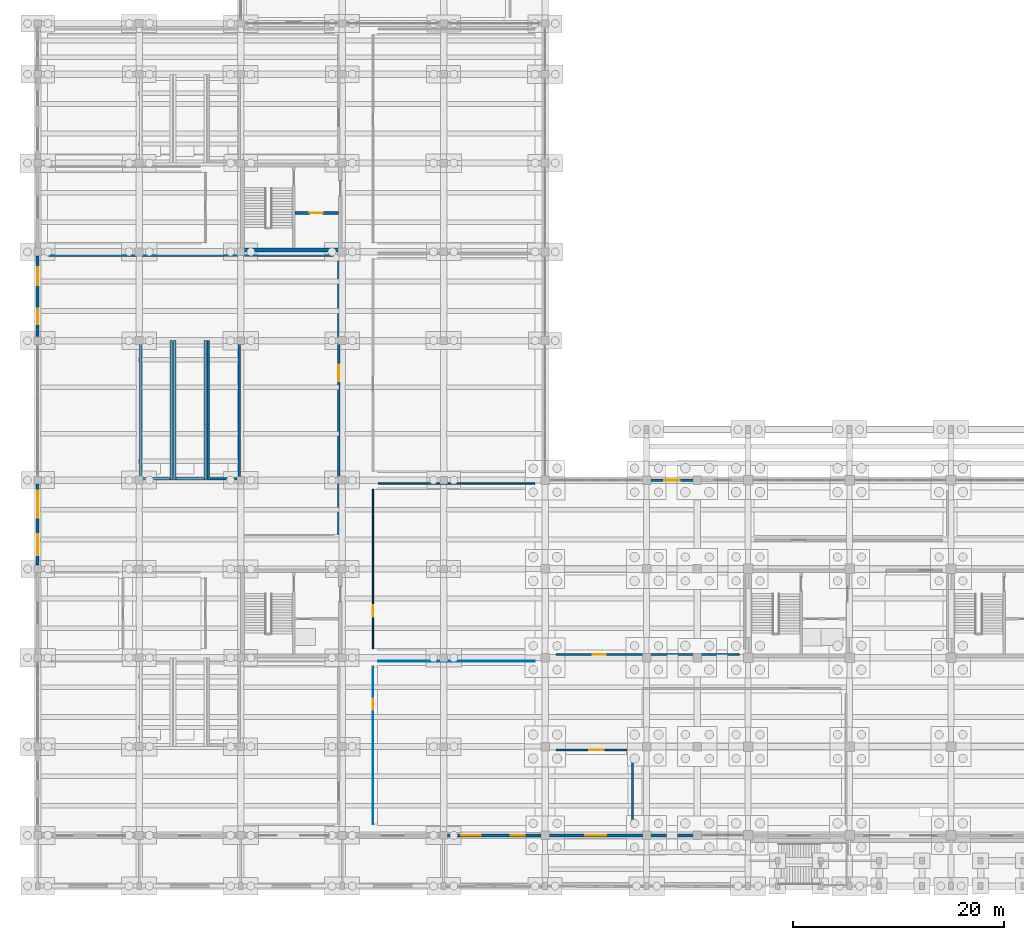
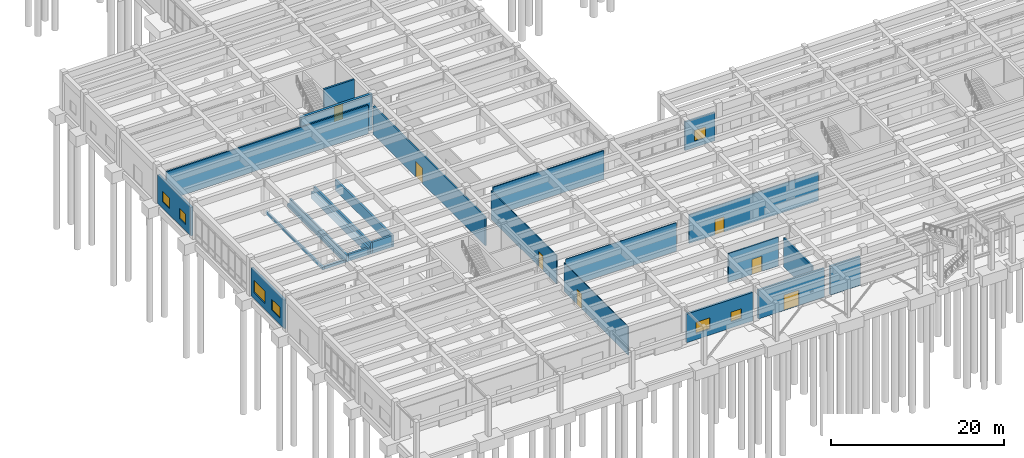
# One storey, part 76 of 102: 26 walls, 7 doors, 7 windows, 14 openings.
"""IFC4 building model written with IfcOpenShell, lengths in metres."""

from ifc_helpers import new_model, si_unit, direction, frame, frame_2d, origin, place, context, subcontext, project, spatial, rectangle, extrude, material, layer, layer_set, type_object, element, fill, save


model = new_model("IFC4")

# Units and contexts
model_context = context("Model", 3, precision=1e-05, world=origin(), true_north=direction((0.0, 1.0)))
body_context = subcontext(model_context, "Body", "Model", "MODEL_VIEW")
ifc_project = project(units=[si_unit("LENGTHUNIT", "METRE"), si_unit("AREAUNIT", "SQUARE_METRE"), si_unit("VOLUMEUNIT", "CUBIC_METRE"), si_unit("PLANEANGLEUNIT", "RADIAN"), si_unit("MASSUNIT", "GRAM", prefix="KILO")], contexts=[model_context])

# Site, building, storey
site_placement = place(None, origin())
site = spatial("IfcSite", under=ifc_project, at=site_placement, CompositionType="ELEMENT")
building_placement = place(site_placement, origin())
building = spatial("IfcBuilding", under=site, at=building_placement, Name="Kolvemor Railside Polytechnic", CompositionType="ELEMENT")
storey_placement = place(building_placement, origin())
storey = spatial("IfcBuildingStorey", under=building, at=storey_placement, Name="L00", CompositionType="ELEMENT", Elevation=0.0)

# Wall
ifc_material_1 = material(Name="Concrete C40/50", Category="concrete")
ifc_layer_1 = layer(ifc_material_1, 0.35009765625, Name="WL-CORE-350")
ifc_layer_set_1 = layer_set([ifc_layer_1], Name="Concrete C40/50")
wall_type_1 = type_object("IfcWallType", Name="WL-CORE-350", PredefinedType="SHEAR", material=ifc_layer_set_1)
wall_1_placement = place(storey_placement, frame((19.199951171875, 60.175048828125, 0.0), z_axis=(0.0, 0.0, 1.0), x_axis=(1.0, 0.0, 0.0)))
element("IfcWall", 1, at=wall_1_placement, inside=storey, type_object=wall_type_1, Name="CORE-5 South Core Wall L00", PredefinedType="SHEAR", context=body_context, shape_type="SweptSolid", body=[
    extrude(rectangle(XDim=9.60009765625, YDim=0.35009765625, at=frame_2d((4.800048828125, 0.0))), origin(), (0.0, 0.0, 1.0), 5.110107421875),
])

# Wall, openings, windows
ifc_material_2 = material(Name="Precast concrete C40/50", Category="concrete")
ifc_layer_2 = layer(ifc_material_2, 0.284912109375, Name="WL-EXT-RC-285")
ifc_layer_set_2 = layer_set([ifc_layer_2], Name="Precast concrete C40/50")
wall_type_2 = type_object("IfcWallType", Name="WL-EXT-RC-285", PredefinedType="SOLIDWALL", material=ifc_layer_set_2)
wall_2_placement = place(storey_placement, frame((0.0, 38.02001953125, 0.0), z_axis=(0.0, 0.0, 1.0), x_axis=(0.0, -1.0, 0.0)))
wall_2 = element("IfcWall", 2, at=wall_2_placement, inside=storey, type_object=wall_type_2, Name="Exterior Wall L00-0058", PredefinedType="SOLIDWALL", context=body_context, shape_type="SweptSolid", body=[
    extrude(rectangle(XDim=7.64013671875, YDim=0.284912109375, at=frame_2d((3.820068359375, 0.0))), origin(), (0.0, 0.0, 1.0), 4.0400390625),
])
opening_1_placement = place(wall_2_placement, frame((0.635009765625, 0.0, 0.89990234375)))
opening_1 = element("IfcOpeningElement", 3, at=opening_1_placement, cuts=wall_2, Name="Opening WN-M13", PredefinedType="OPENING", context=body_context, shape_type="SweptSolid", body=[
    extrude(rectangle(XDim=2.550048828125, YDim=1.75, at=frame_2d((1.27490234375, 0.875))), frame((0.0, 0.15234375, 0.0), z_axis=(0.0, -1.0, 0.0), x_axis=(1.0, 0.0, 0.0)), (0.0, 0.0, 1.0), 0.304931640625),
])
opening_2_placement = place(wall_2_placement, frame((4.72998046875, 0.0, 0.89990234375)))
opening_2 = element("IfcOpeningElement", 4, at=opening_2_placement, cuts=wall_2, Name="Opening WN-M20", PredefinedType="OPENING", context=body_context, shape_type="SweptSolid", body=[
    extrude(rectangle(XDim=2.0, YDim=1.550048828125, at=frame_2d((1.0, 0.77490234375))), frame((0.0, 0.15234375, 0.0), z_axis=(0.0, -1.0, 0.0), x_axis=(1.0, 0.0, 0.0)), (0.0, 0.0, 1.0), 0.304931640625),
])
ifc_material_3 = material(Name="Hurricane-laminated thermally broken aluminium window", Category="aluminium")
window_type_1 = type_object("IfcWindowType", Name="WN-MOD-200x155", PartitioningType="DOUBLE_PANEL_VERTICAL", PredefinedType="WINDOW", material=ifc_material_3)
window_1_placement = place(opening_2_placement, origin())
window_1 = element("IfcWindow", 5, at=window_1_placement, inside=storey, type_object=window_type_1, Name="Window L00-0055", OverallHeight=1.550048828125, OverallWidth=2.0, PartitioningType="SINGLE_PANEL", PredefinedType="WINDOW", context=body_context, shape_type="SweptSolid", body=[
    extrude(rectangle(XDim=2.0, YDim=1.550048828125, at=frame_2d((1.0, 0.77490234375))), frame((0.0, 0.030029296875, 0.0), z_axis=(0.0, -1.0, 0.0), x_axis=(1.0, 0.0, 0.0)), (0.0, 0.0, 1.0), 0.06005859375),
])
fill(opening_2, window_1)
ifc_material_4 = material(Name="Hurricane-laminated thermally broken aluminium window", Category="aluminium")
window_type_2 = type_object("IfcWindowType", Name="WN-MOD-255x175", PartitioningType="DOUBLE_PANEL_VERTICAL", PredefinedType="WINDOW", material=ifc_material_4)
window_2_placement = place(opening_1_placement, origin())
window_2 = element("IfcWindow", 6, at=window_2_placement, inside=storey, type_object=window_type_2, Name="Window L00-0054", OverallHeight=1.75, OverallWidth=2.550048828125, PartitioningType="SINGLE_PANEL", PredefinedType="WINDOW", context=body_context, shape_type="SweptSolid", body=[
    extrude(rectangle(XDim=2.550048828125, YDim=1.75, at=frame_2d((1.27490234375, 0.875))), frame((0.0, 0.030029296875, 0.0), z_axis=(0.0, -1.0, 0.0), x_axis=(1.0, 0.0, 0.0)), (0.0, 0.0, 1.0), 0.06005859375),
])
fill(opening_1, window_2)

wall_3_placement = place(storey_placement, frame((0.0, 59.6201171875, 0.0), z_axis=(0.0, 0.0, 1.0), x_axis=(0.0, -1.0, 0.0)))
wall_3 = element("IfcWall", 7, at=wall_3_placement, inside=storey, type_object=wall_type_2, Name="Exterior Wall L00-0063", PredefinedType="SOLIDWALL", context=body_context, shape_type="SweptSolid", body=[
    extrude(rectangle(XDim=7.64013671875, YDim=0.284912109375, at=frame_2d((3.820068359375, 0.0))), origin(), (0.0, 0.0, 1.0), 4.0400390625),
])
opening_3_placement = place(wall_3_placement, frame((1.06005859375, 0.0, 0.89990234375)))
opening_3 = element("IfcOpeningElement", 8, at=opening_3_placement, cuts=wall_3, Name="Opening WN-M19", PredefinedType="OPENING", context=body_context, shape_type="SweptSolid", body=[
    extrude(rectangle(XDim=1.699951171875, YDim=1.449951171875, at=frame_2d((0.85009765625, 0.72509765625))), frame((0.0, 0.15234375, 0.0), z_axis=(0.0, -1.0, 0.0), x_axis=(1.0, 0.0, 0.0)), (0.0, 0.0, 1.0), 0.304931640625),
])
opening_4_placement = place(wall_3_placement, frame((5.0048828125, 0.0, 0.89990234375)))
opening_4 = element("IfcOpeningElement", 9, at=opening_4_placement, cuts=wall_3, Name="Opening WN-M02", PredefinedType="OPENING", context=body_context, shape_type="SweptSolid", body=[
    extrude(rectangle(XDim=1.449951171875, YDim=1.449951171875, at=frame_2d((0.72509765625, 0.72509765625))), frame((0.0, 0.15234375, 0.0), z_axis=(0.0, -1.0, 0.0), x_axis=(1.0, 0.0, 0.0)), (0.0, 0.0, 1.0), 0.304931640625),
])
ifc_material_5 = material(Name="Hurricane-laminated thermally broken aluminium window", Category="aluminium")
window_type_3 = type_object("IfcWindowType", Name="WN-MOD-145x145", PartitioningType="SINGLE_PANEL", PredefinedType="WINDOW", material=ifc_material_5)
window_3_placement = place(opening_4_placement, origin())
window_3 = element("IfcWindow", 10, at=window_3_placement, inside=storey, type_object=window_type_3, Name="Window L00-0062", OverallHeight=1.449951171875, OverallWidth=1.449951171875, PartitioningType="SINGLE_PANEL", PredefinedType="WINDOW", context=body_context, shape_type="SweptSolid", body=[
    extrude(rectangle(XDim=1.449951171875, YDim=1.449951171875, at=frame_2d((0.72509765625, 0.72509765625))), frame((0.0, 0.030029296875, 0.0), z_axis=(0.0, -1.0, 0.0), x_axis=(1.0, 0.0, 0.0)), (0.0, 0.0, 1.0), 0.06005859375),
])
fill(opening_4, window_3)
ifc_material_6 = material(Name="Hurricane-laminated thermally broken aluminium window", Category="aluminium")
window_type_4 = type_object("IfcWindowType", Name="WN-MOD-170x145", PartitioningType="SINGLE_PANEL", PredefinedType="WINDOW", material=ifc_material_6)
window_4_placement = place(opening_3_placement, origin())
window_4 = element("IfcWindow", 11, at=window_4_placement, inside=storey, type_object=window_type_4, Name="Window L00-0061", OverallHeight=1.449951171875, OverallWidth=1.699951171875, PartitioningType="SINGLE_PANEL", PredefinedType="WINDOW", context=body_context, shape_type="SweptSolid", body=[
    extrude(rectangle(XDim=1.699951171875, YDim=1.449951171875, at=frame_2d((0.85009765625, 0.72509765625))), frame((0.0, 0.030029296875, 0.0), z_axis=(0.0, -1.0, 0.0), x_axis=(1.0, 0.0, 0.0)), (0.0, 0.0, 1.0), 0.06005859375),
])
fill(opening_3, window_4)

ifc_material_7 = material(Name="Concrete C40/50", Category="concrete")
ifc_layer_3 = layer(ifc_material_7, 0.300048828125, Name="WL-EXT-RC-300")
ifc_layer_set_3 = layer_set([ifc_layer_3], Name="Concrete C40/50")
wall_type_3 = type_object("IfcWallType", Name="WL-EXT-RC-300", PredefinedType="SOLIDWALL", material=ifc_layer_set_3)
wall_4_placement = place(storey_placement, frame((38.780029296875, 4.800048828125, 0.0), z_axis=(0.0, 0.0, 1.0), x_axis=(1.0, 0.0, 0.0)))
wall_4 = element("IfcWall", 12, at=wall_4_placement, inside=storey, type_object=wall_type_3, Name="Exterior Wall L00-0090", PredefinedType="SOLIDWALL", context=body_context, shape_type="SweptSolid", body=[
    extrude(rectangle(XDim=8.840087890625, YDim=0.300048828125, at=frame_2d((4.419921875, 0.0))), origin(), (0.0, 0.0, 1.0), 4.0400390625),
])
opening_5_placement = place(wall_4_placement, frame((1.284912109375, 0.0, 0.89990234375)))
opening_5 = element("IfcOpeningElement", 13, at=opening_5_placement, cuts=wall_4, Name="Opening WN-M06", PredefinedType="OPENING", context=body_context, shape_type="SweptSolid", body=[
    extrude(rectangle(XDim=1.85009765625, YDim=1.550048828125, at=frame_2d((0.925048828125, 0.77490234375))), frame((0.0, 0.159912109375, 0.0), z_axis=(0.0, -1.0, 0.0), x_axis=(1.0, 0.0, 0.0)), (0.0, 0.0, 1.0), 0.320068359375),
])
opening_6_placement = place(wall_4_placement, frame((5.955078125, 0.0, 0.89990234375)))
opening_6 = element("IfcOpeningElement", 14, at=opening_6_placement, cuts=wall_4, Name="Opening WN-M17", PredefinedType="OPENING", context=body_context, shape_type="SweptSolid", body=[
    extrude(rectangle(XDim=1.35009765625, YDim=1.35009765625, at=frame_2d((0.675048828125, 0.675048828125))), frame((0.0, 0.159912109375, 0.0), z_axis=(0.0, -1.0, 0.0), x_axis=(1.0, 0.0, 0.0)), (0.0, 0.0, 1.0), 0.320068359375),
])
ifc_material_8 = material(Name="Hurricane-laminated thermally broken aluminium window", Category="aluminium")
window_type_5 = type_object("IfcWindowType", Name="WN-MOD-135x135", PartitioningType="SINGLE_PANEL", PredefinedType="WINDOW", material=ifc_material_8)
window_5_placement = place(opening_6_placement, origin())
window_5 = element("IfcWindow", 15, at=window_5_placement, inside=storey, type_object=window_type_5, Name="Window L00-0095", OverallHeight=1.35009765625, OverallWidth=1.35009765625, PartitioningType="SINGLE_PANEL", PredefinedType="WINDOW", context=body_context, shape_type="SweptSolid", body=[
    extrude(rectangle(XDim=1.35009765625, YDim=1.35009765625, at=frame_2d((0.675048828125, 0.675048828125))), frame((0.0, 0.030029296875, 0.0), z_axis=(0.0, -1.0, 0.0), x_axis=(1.0, 0.0, 0.0)), (0.0, 0.0, 1.0), 0.06005859375),
])
fill(opening_6, window_5)
ifc_material_9 = material(Name="Hurricane-laminated thermally broken aluminium window", Category="aluminium")
window_type_6 = type_object("IfcWindowType", Name="WN-MOD-185x155", PartitioningType="DOUBLE_PANEL_VERTICAL", PredefinedType="WINDOW", material=ifc_material_9)
window_6_placement = place(opening_5_placement, origin())
window_6 = element("IfcWindow", 16, at=window_6_placement, inside=storey, type_object=window_type_6, Name="Window L00-0094", OverallHeight=1.550048828125, OverallWidth=1.85009765625, PartitioningType="SINGLE_PANEL", PredefinedType="WINDOW", context=body_context, shape_type="SweptSolid", body=[
    extrude(rectangle(XDim=1.85009765625, YDim=1.550048828125, at=frame_2d((0.925048828125, 0.77490234375))), frame((0.0, 0.030029296875, 0.0), z_axis=(0.0, -1.0, 0.0), x_axis=(1.0, 0.0, 0.0)), (0.0, 0.0, 1.0), 0.06005859375),
])
fill(opening_5, window_6)

# Wall, opening, door
wall_5_placement = place(storey_placement, frame((48.3798828125, 4.800048828125, 0.0), z_axis=(0.0, 0.0, 1.0), x_axis=(1.0, 0.0, 0.0)))
wall_5 = element("IfcWall", 17, at=wall_5_placement, inside=storey, type_object=wall_type_3, Name="Exterior Wall L00-0091", PredefinedType="SOLIDWALL", context=body_context, shape_type="SweptSolid", body=[
    extrude(rectangle(XDim=8.840087890625, YDim=0.300048828125, at=frame_2d((4.419921875, 0.0))), origin(), (0.0, 0.0, 1.0), 4.0400390625),
])
opening_7_placement = place(wall_5_placement, frame((3.419921875, 0.0, 0.0)))
opening_7 = element("IfcOpeningElement", 18, at=opening_7_placement, cuts=wall_5, Name="Opening EX-11", PredefinedType="OPENING", context=body_context, shape_type="SweptSolid", body=[
    extrude(rectangle(XDim=2.0, YDim=2.199951171875, at=frame_2d((1.0, 1.10009765625))), frame((0.0, 0.159912109375, 0.0), z_axis=(0.0, -1.0, 0.0), x_axis=(1.0, 0.0, 0.0)), (0.0, 0.0, 1.0), 0.320068359375),
])
ifc_material_10 = material(Name="Marine-grade thermally broken aluminium and laminated glass door", Category="aluminium")
door_type_1 = type_object("IfcDoorType", Name="DR-EXIT-200x220", OperationType="NOTDEFINED", PredefinedType="DOOR", material=ifc_material_10)
door_1_placement = place(opening_7_placement, origin())
door_1 = element("IfcDoor", 19, at=door_1_placement, inside=storey, type_object=door_type_1, Name="Exterior Door EX-11", OperationType="SINGLE_SWING_LEFT", OverallHeight=2.199951171875, OverallWidth=2.0, PredefinedType="DOOR", context=body_context, shape_type="SweptSolid", body=[
    extrude(rectangle(XDim=2.0, YDim=2.199951171875, at=frame_2d((1.0, 1.10009765625))), frame((0.0, 0.02490234375, 0.0), z_axis=(0.0, -1.0, 0.0), x_axis=(1.0, 0.0, 0.0)), (0.0, 0.0, 1.0), 0.050048828125),
])
fill(opening_7, door_1)

# Wall
wall_6_placement = place(storey_placement, frame((57.97998046875, 4.800048828125, 0.0), z_axis=(0.0, 0.0, 1.0), x_axis=(1.0, 0.0, 0.0)))
element("IfcWall", 20, at=wall_6_placement, inside=storey, type_object=wall_type_3, Name="Exterior Wall L00-0092", PredefinedType="SOLIDWALL", context=body_context, shape_type="SweptSolid", body=[
    extrude(rectangle(XDim=4.0400390625, YDim=0.300048828125, at=frame_2d((2.02001953125, 0.0))), origin(), (0.0, 0.0, 1.0), 4.0400390625),
])

# Wall, opening, window
ifc_material_11 = material(Name="Cross-laminated timber CLT E1", Category="wood")
ifc_layer_4 = layer(ifc_material_11, 0.2099609375, Name="WL-EXT-TM-210")
ifc_layer_set_4 = layer_set([ifc_layer_4], Name="Cross-laminated timber CLT E1")
wall_type_4 = type_object("IfcWallType", Name="WL-EXT-TM-210", PredefinedType="SOLIDWALL", material=ifc_layer_set_4)
wall_7_placement = place(storey_placement, frame((62.02001953125, 38.39990234375, 0.0), z_axis=(0.0, 0.0, 1.0), x_axis=(-1.0, 0.0, 0.0)))
wall_7 = element("IfcWall", 21, at=wall_7_placement, inside=storey, type_object=wall_type_4, Name="Exterior Wall L00-0144", PredefinedType="SOLIDWALL", context=body_context, shape_type="SweptSolid", body=[
    extrude(rectangle(XDim=4.0400390625, YDim=0.2099609375, at=frame_2d((2.02001953125, 0.0))), origin(), (0.0, 0.0, 1.0), 4.0400390625),
])
opening_8_placement = place(wall_7_placement, frame((1.27001953125, 0.0, 0.89990234375)))
opening_8 = element("IfcOpeningElement", 22, at=opening_8_placement, cuts=wall_7, Name="Opening WN-LAB4", PredefinedType="OPENING", context=body_context, shape_type="SweptSolid", body=[
    extrude(rectangle(XDim=1.5, YDim=1.5, at=frame_2d((0.75, 0.75))), frame((0.0, 0.114990234375, 0.0), z_axis=(0.0, -1.0, 0.0), x_axis=(1.0, 0.0, 0.0)), (0.0, 0.0, 1.0), 0.22998046875),
])
ifc_material_12 = material(Name="Hurricane-laminated thermally broken aluminium window", Category="aluminium")
window_type_7 = type_object("IfcWindowType", Name="WN-LAB-150x150", PartitioningType="SINGLE_PANEL", PredefinedType="WINDOW", material=ifc_material_12)
window_7_placement = place(opening_8_placement, origin())
window_7 = element("IfcWindow", 23, at=window_7_placement, inside=storey, type_object=window_type_7, Name="Window L00-0157", OverallHeight=1.5, OverallWidth=1.5, PartitioningType="SINGLE_PANEL", PredefinedType="WINDOW", context=body_context, shape_type="SweptSolid", body=[
    extrude(rectangle(XDim=1.5, YDim=1.5, at=frame_2d((0.75, 0.75))), frame((0.0, 0.030029296875, 0.0), z_axis=(0.0, -1.0, 0.0), x_axis=(1.0, 0.0, 0.0)), (0.0, 0.0, 1.0), 0.06005859375),
])
fill(opening_8, window_7)

# Wall, opening, door
ifc_material_13 = material(Name="Operable seminar acoustic folding wall")
ifc_layer_5 = layer(ifc_material_13, 0.090087890625, Name="WL-MOV-090")
ifc_layer_set_5 = layer_set([ifc_layer_5], Name="Operable seminar acoustic folding wall")
wall_type_5 = type_object("IfcWallType", Name="WL-MOV-090", PredefinedType="MOVABLE", material=ifc_layer_set_5)
wall_8_placement = place(storey_placement, frame((31.719970703125, 5.85009765625, 0.0), z_axis=(0.0, 0.0, 1.0), x_axis=(0.0, 1.0, 0.0)))
wall_8 = element("IfcWall", 24, at=wall_8_placement, inside=storey, type_object=wall_type_5, Name="Partition Wall L00-0027", PredefinedType="MOVABLE", context=body_context, shape_type="SweptSolid", body=[
    extrude(rectangle(XDim=14.89990234375, YDim=0.090087890625, at=frame_2d((7.449951171875, 0.0))), origin(), (0.0, 0.0, 1.0), 4.0400390625),
])
opening_9_placement = place(wall_8_placement, frame((10.847900390625, 0.0, 0.0)))
opening_9 = element("IfcOpeningElement", 25, at=opening_9_placement, cuts=wall_8, Name="Opening D-00017", PredefinedType="OPENING", context=body_context, shape_type="SweptSolid", body=[
    extrude(rectangle(XDim=1.0400390625, YDim=2.14990234375, at=frame_2d((0.52001953125, 1.074951171875))), frame((0.0, 0.054931640625, 0.0), z_axis=(0.0, -1.0, 0.0), x_axis=(1.0, 0.0, 0.0)), (0.0, 0.0, 1.0), 0.110107421875),
])
ifc_material_14 = material(Name="Solid hardwood acoustic door", Category="wood")
door_type_2 = type_object("IfcDoorType", Name="DR-SEM-104x215", OperationType="NOTDEFINED", PredefinedType="DOOR", material=ifc_material_14)
door_2_placement = place(opening_9_placement, origin())
door_2 = element("IfcDoor", 26, at=door_2_placement, inside=storey, type_object=door_type_2, Name="Room Door D-00017 (Seminar Room 001)", OperationType="SINGLE_SWING_RIGHT", OverallHeight=2.14990234375, OverallWidth=1.0400390625, PredefinedType="DOOR", context=body_context, shape_type="SweptSolid", body=[
    extrude(rectangle(XDim=1.0400390625, YDim=2.14990234375, at=frame_2d((0.52001953125, 1.074951171875))), frame((0.0, 0.02490234375, 0.0), z_axis=(0.0, -1.0, 0.0), x_axis=(1.0, 0.0, 0.0)), (0.0, 0.0, 1.0), 0.050048828125),
])
fill(opening_9, door_2)

# Wall
wall_9_placement = place(storey_placement, frame((32.199951171875, 21.280029296875, 0.0), z_axis=(0.0, 0.0, 1.0), x_axis=(1.0, 0.0, 0.0)))
element("IfcWall", 27, at=wall_9_placement, inside=storey, type_object=wall_type_5, Name="Demising Partition L00-0028", PredefinedType="MOVABLE", context=body_context, shape_type="SweptSolid", body=[
    extrude(rectangle(XDim=14.800048828125, YDim=0.090087890625, at=frame_2d((7.39990234375, 0.0))), origin(), (0.0, 0.0, 1.0), 4.0400390625),
])

# Wall, opening, door
ifc_material_15 = material(Name="Seminar acoustic partition")
ifc_layer_6 = layer(ifc_material_15, 0.139892578125, Name="WL-PART-140")
ifc_layer_set_6 = layer_set([ifc_layer_6], Name="Seminar acoustic partition")
wall_type_6 = type_object("IfcWallType", Name="WL-PART-140", PredefinedType="PARTITIONING", material=ifc_layer_set_6)
wall_10_placement = place(storey_placement, frame((31.719970703125, 22.449951171875, 0.0), z_axis=(0.0, 0.0, 1.0), x_axis=(0.0, 1.0, 0.0)))
wall_10 = element("IfcWall", 28, at=wall_10_placement, inside=storey, type_object=wall_type_6, Name="Partition Wall L00-0029", PredefinedType="PARTITIONING", context=body_context, shape_type="SweptSolid", body=[
    extrude(rectangle(XDim=15.10009765625, YDim=0.139892578125, at=frame_2d((7.550048828125, 0.0))), origin(), (0.0, 0.0, 1.0), 4.0400390625),
])
opening_10_placement = place(wall_10_placement, frame((3.0439453125, 0.0, 0.0)))
opening_10 = element("IfcOpeningElement", 29, at=opening_10_placement, cuts=wall_10, Name="Opening D-00018", PredefinedType="OPENING", context=body_context, shape_type="SweptSolid", body=[
    extrude(rectangle(XDim=1.080078125, YDim=2.14990234375, at=frame_2d((0.5400390625, 1.074951171875))), frame((0.0, 0.079833984375, 0.0), z_axis=(0.0, -1.0, 0.0), x_axis=(1.0, 0.0, 0.0)), (0.0, 0.0, 1.0), 0.159912109375),
])
ifc_material_16 = material(Name="Solid hardwood acoustic door", Category="wood")
door_type_3 = type_object("IfcDoorType", Name="DR-SEM-108x215", OperationType="NOTDEFINED", PredefinedType="DOOR", material=ifc_material_16)
door_3_placement = place(opening_10_placement, origin())
door_3 = element("IfcDoor", 30, at=door_3_placement, inside=storey, type_object=door_type_3, Name="Room Door D-00018 (Seminar Room 002)", OperationType="SINGLE_SWING_LEFT", OverallHeight=2.14990234375, OverallWidth=1.080078125, PredefinedType="DOOR", context=body_context, shape_type="SweptSolid", body=[
    extrude(rectangle(XDim=1.080078125, YDim=2.14990234375, at=frame_2d((0.5400390625, 1.074951171875))), frame((0.0, 0.02490234375, 0.0), z_axis=(0.0, -1.0, 0.0), x_axis=(1.0, 0.0, 0.0)), (0.0, 0.0, 1.0), 0.050048828125),
])
fill(opening_10, door_3)

# Wall
wall_11_placement = place(storey_placement, frame((32.199951171875, 38.080078125, 0.0), z_axis=(0.0, 0.0, 1.0), x_axis=(1.0, 0.0, 0.0)))
element("IfcWall", 31, at=wall_11_placement, inside=storey, type_object=wall_type_6, Name="Demising Partition L00-0030", PredefinedType="PARTITIONING", context=body_context, shape_type="SweptSolid", body=[
    extrude(rectangle(XDim=14.800048828125, YDim=0.139892578125, at=frame_2d((7.39990234375, 0.0))), origin(), (0.0, 0.0, 1.0), 4.0400390625),
])

# Wall, opening, door
ifc_material_17 = material(Name="Fire-rated laboratory corridor partition")
ifc_layer_7 = layer(ifc_material_17, 0.1650390625, Name="WL-PART-165")
ifc_layer_set_7 = layer_set([ifc_layer_7], Name="Fire-rated laboratory corridor partition")
wall_type_7 = type_object("IfcWallType", Name="WL-PART-165", PredefinedType="PARTITIONING", material=ifc_layer_set_7)
wall_12_placement = place(storey_placement, frame((49.050048828125, 21.919921875, 0.0), z_axis=(0.0, 0.0, 1.0), x_axis=(1.0, 0.0, 0.0)))
wall_12 = element("IfcWall", 32, at=wall_12_placement, inside=storey, type_object=wall_type_7, Name="Partition Wall L00-0048", PredefinedType="PARTITIONING", context=body_context, shape_type="SweptSolid", body=[
    extrude(rectangle(XDim=17.300048828125, YDim=0.1650390625, at=frame_2d((8.64990234375, 0.0))), origin(), (0.0, 0.0, 1.0), 4.0400390625),
])
opening_11_placement = place(wall_12_placement, frame((3.4560546875, 0.0, 0.0)))
opening_11 = element("IfcOpeningElement", 33, at=opening_11_placement, cuts=wall_12, Name="Opening D-00028", PredefinedType="OPENING", context=body_context, shape_type="SweptSolid", body=[
    extrude(rectangle(XDim=1.219970703125, YDim=2.14990234375, at=frame_2d((0.60986328125, 1.074951171875))), frame((0.0, 0.092529296875, 0.0), z_axis=(0.0, -1.0, 0.0), x_axis=(1.0, 0.0, 0.0)), (0.0, 0.0, 1.0), 0.18505859375),
])
ifc_material_18 = material(Name="Fire-rated hardwood and brushed stainless-steel door", Category="steel")
door_type_4 = type_object("IfcDoorType", Name="DR-LAB-122x215", OperationType="NOTDEFINED", PredefinedType="DOOR", material=ifc_material_18)
door_4_placement = place(opening_11_placement, origin())
door_4 = element("IfcDoor", 34, at=door_4_placement, inside=storey, type_object=door_type_4, Name="Room Door D-00028 (Electrical Power Systems Laboratory)", OperationType="SINGLE_SWING_LEFT", OverallHeight=2.14990234375, OverallWidth=1.219970703125, PredefinedType="DOOR", context=body_context, shape_type="SweptSolid", body=[
    extrude(rectangle(XDim=1.219970703125, YDim=2.14990234375, at=frame_2d((0.60986328125, 1.074951171875))), frame((0.0, 0.02490234375, 0.0), z_axis=(0.0, -1.0, 0.0), x_axis=(1.0, 0.0, 0.0)), (0.0, 0.0, 1.0), 0.050048828125),
])
fill(opening_11, door_4)

ifc_material_19 = material(Name="Acoustic concrete blockwork and gypsum", Category="masonry")
ifc_layer_8 = layer(ifc_material_19, 0.199951171875, Name="WL-PART-200")
ifc_layer_set_8 = layer_set([ifc_layer_8], Name="Acoustic concrete blockwork and gypsum")
wall_type_8 = type_object("IfcWallType", Name="WL-PART-200", PredefinedType="PARTITIONING", material=ifc_layer_set_8)
wall_13_placement = place(storey_placement, frame((28.47998046875, 33.25, 0.0), z_axis=(0.0, 0.0, 1.0), x_axis=(0.0, 1.0, 0.0)))
wall_13 = element("IfcWall", 35, at=wall_13_placement, inside=storey, type_object=wall_type_8, Name="Partition Wall L00-0023", PredefinedType="PARTITIONING", context=body_context, shape_type="SweptSolid", body=[
    extrude(rectangle(XDim=25.89990234375, YDim=0.199951171875, at=frame_2d((12.949951171875, 0.0))), origin(), (0.0, 0.0, 1.0), 4.0400390625),
])
opening_12_placement = place(wall_13_placement, frame((14.530029296875, 0.0, 0.0)))
opening_12 = element("IfcOpeningElement", 36, at=opening_12_placement, cuts=wall_13, Name="Opening D-00015", PredefinedType="OPENING", context=body_context, shape_type="SweptSolid", body=[
    extrude(rectangle(XDim=1.550048828125, YDim=2.14990234375, at=frame_2d((0.77490234375, 1.074951171875))), frame((0.0, 0.10986328125, 0.0), z_axis=(0.0, -1.0, 0.0), x_axis=(1.0, 0.0, 0.0)), (0.0, 0.0, 1.0), 0.219970703125),
])
ifc_material_20 = material(Name="Fire-rated hardwood and brushed stainless-steel door", Category="steel")
door_type_5 = type_object("IfcDoorType", Name="DR-LT-155x215", OperationType="NOTDEFINED", PredefinedType="DOOR", material=ifc_material_20)
door_5_placement = place(opening_12_placement, origin())
door_5 = element("IfcDoor", 37, at=door_5_placement, inside=storey, type_object=door_type_5, Name="Room Door D-00015 (Lecture Theatre LT-2)", OperationType="SINGLE_SWING_RIGHT", OverallHeight=2.14990234375, OverallWidth=1.550048828125, PredefinedType="DOOR", context=body_context, shape_type="SweptSolid", body=[
    extrude(rectangle(XDim=1.550048828125, YDim=2.14990234375, at=frame_2d((0.77490234375, 1.074951171875))), frame((0.0, 0.02490234375, 0.0), z_axis=(0.0, -1.0, 0.0), x_axis=(1.0, 0.0, 0.0)), (0.0, 0.0, 1.0), 0.050048828125),
])
fill(opening_12, door_5)

# Wall
wall_14_placement = place(storey_placement, frame((1.0, 59.679931640625, 0.0), z_axis=(0.0, 0.0, 1.0), x_axis=(1.0, 0.0, 0.0)))
element("IfcWall", 38, at=wall_14_placement, inside=storey, type_object=wall_type_8, Name="Demising Partition L00-0024", PredefinedType="PARTITIONING", context=body_context, shape_type="SweptSolid", body=[
    extrude(rectangle(XDim=27.0, YDim=0.199951171875, at=frame_2d((13.5, 0.0))), origin(), (0.0, 0.0, 1.0), 4.0400390625),
])

# Wall, opening, door
wall_15_placement = place(storey_placement, frame((49.050048828125, 12.8798828125, 0.0), z_axis=(0.0, 0.0, 1.0), x_axis=(1.0, 0.0, 0.0)))
wall_15 = element("IfcWall", 39, at=wall_15_placement, inside=storey, type_object=wall_type_8, Name="Partition Wall L00-0041", PredefinedType="PARTITIONING", context=body_context, shape_type="SweptSolid", body=[
    extrude(rectangle(XDim=6.699951171875, YDim=0.199951171875, at=frame_2d((3.35009765625, 0.0))), origin(), (0.0, 0.0, 1.0), 4.0400390625),
])
opening_13_placement = place(wall_15_placement, frame((3.1298828125, 0.0, 0.0)))
opening_13 = element("IfcOpeningElement", 40, at=opening_13_placement, cuts=wall_15, Name="Opening D-00024", PredefinedType="OPENING", context=body_context, shape_type="SweptSolid", body=[
    extrude(rectangle(XDim=1.35009765625, YDim=2.14990234375, at=frame_2d((0.675048828125, 1.074951171875))), frame((0.0, 0.10986328125, 0.0), z_axis=(0.0, -1.0, 0.0), x_axis=(1.0, 0.0, 0.0)), (0.0, 0.0, 1.0), 0.219970703125),
])
ifc_material_21 = material(Name="Fire-rated hardwood and brushed stainless-steel door", Category="steel")
door_type_6 = type_object("IfcDoorType", Name="DR-FD90-135x215", OperationType="NOTDEFINED", PredefinedType="DOOR", material=ifc_material_21)
door_6_placement = place(opening_13_placement, origin())
door_6 = element("IfcDoor", 41, at=door_6_placement, inside=storey, type_object=door_type_6, Name="Room Door D-00024 (Fire Command Centre)", OperationType="SINGLE_SWING_LEFT", OverallHeight=2.14990234375, OverallWidth=1.35009765625, PredefinedType="DOOR", context=body_context, shape_type="SweptSolid", body=[
    extrude(rectangle(XDim=1.35009765625, YDim=2.14990234375, at=frame_2d((0.675048828125, 1.074951171875))), frame((0.0, 0.02490234375, 0.0), z_axis=(0.0, -1.0, 0.0), x_axis=(1.0, 0.0, 0.0)), (0.0, 0.0, 1.0), 0.050048828125),
])
fill(opening_13, door_6)

# Wall
wall_16_placement = place(storey_placement, frame((56.280029296875, 5.800048828125, 0.0), z_axis=(0.0, 0.0, 1.0), x_axis=(0.0, 1.0, 0.0)))
element("IfcWall", 42, at=wall_16_placement, inside=storey, type_object=wall_type_8, Name="Demising Partition L00-0042", PredefinedType="PARTITIONING", context=body_context, shape_type="SweptSolid", body=[
    extrude(rectangle(XDim=6.599853515625, YDim=0.199951171875, at=frame_2d((3.2998046875, 0.0))), origin(), (0.0, 0.0, 1.0), 4.0400390625),
])

# Wall, opening, door
ifc_material_22 = material(Name="Concrete C40/50", Category="concrete")
ifc_layer_9 = layer(ifc_material_22, 0.25, Name="WL-SHFT-250")
ifc_layer_set_9 = layer_set([ifc_layer_9], Name="Concrete C40/50")
wall_type_9 = type_object("IfcWallType", Name="WL-SHFT-250", PredefinedType="SHEAR", material=ifc_layer_set_9)
wall_17_placement = place(storey_placement, frame((24.35009765625, 63.675048828125, 0.0), z_axis=(0.0, 0.0, 1.0), x_axis=(1.0, 0.0, 0.0)))
wall_17 = element("IfcWall", 43, at=wall_17_placement, inside=storey, type_object=wall_type_9, Name="CORE-5 Lift Shaft Front Wall L00", PredefinedType="SHEAR", context=body_context, shape_type="SweptSolid", body=[
    extrude(rectangle(XDim=4.099853515625, YDim=0.25, at=frame_2d((2.0498046875, 0.0))), origin(), (0.0, 0.0, 1.0), 5.110107421875),
])
opening_14_placement = place(wall_17_placement, frame((1.39990234375, 0.0, 0.0)))
opening_14 = element("IfcOpeningElement", 44, at=opening_14_placement, cuts=wall_17, Name="Opening D-RSR-5-L00", PredefinedType="OPENING", context=body_context, shape_type="SweptSolid", body=[
    extrude(rectangle(XDim=1.199951171875, YDim=2.14990234375, at=frame_2d((0.60009765625, 1.074951171875))), frame((0.0, 0.135009765625, 0.0), z_axis=(0.0, -1.0, 0.0), x_axis=(1.0, 0.0, 0.0)), (0.0, 0.0, 1.0), 0.27001953125),
])
ifc_material_23 = material(Name="Fire-rated hardwood and brushed stainless-steel door", Category="steel")
door_type_7 = type_object("IfcDoorType", Name="DR-FD60-120x215", OperationType="NOTDEFINED", PredefinedType="DOOR", material=ifc_material_23)
door_7_placement = place(opening_14_placement, origin())
door_7 = element("IfcDoor", 45, at=door_7_placement, inside=storey, type_object=door_type_7, Name="Riser Fire Door CORE-5 L00", OperationType="SINGLE_SWING_LEFT", OverallHeight=2.14990234375, OverallWidth=1.199951171875, PredefinedType="DOOR", context=body_context, shape_type="SweptSolid", body=[
    extrude(rectangle(XDim=1.199951171875, YDim=2.14990234375, at=frame_2d((0.60009765625, 1.074951171875))), frame((0.0, 0.02490234375, 0.0), z_axis=(0.0, -1.0, 0.0), x_axis=(1.0, 0.0, 0.0)), (0.0, 0.0, 1.0), 0.050048828125),
])
fill(opening_14, door_7)

# Walls
ifc_material_24 = material(Name="Concrete C40/50", Category="concrete")
ifc_layer_10 = layer(ifc_material_24, 0.25, Name="WL-TIER-RC")
ifc_layer_set_10 = layer_set([ifc_layer_10], Name="Concrete C40/50")
wall_type_10 = type_object("IfcWallType", Name="WL-TIER-RC", PredefinedType="SHEAR", material=ifc_layer_set_10)
for number, where, z_axis, x_axis, name in (
    (46, (9.75, 38.39990234375, 0.0), (0.0, 0.0, 1.0), (0.0, 1.0, 0.0), "Lecture Tier Riser Wall LT2-F1"),
    (47, (12.64990234375, 38.39990234375, 0.0), (0.0, 0.0, 1.0), (0.0, 1.0, 0.0), "Lecture Tier Riser Wall LT2-R1"),
):
    element("IfcWall", number, at=place(storey_placement, frame(where, z_axis=z_axis, x_axis=x_axis)), inside=storey, type_object=wall_type_10, Name=name, PredefinedType="SHEAR", context=body_context, shape_type="SweptSolid", body=[
        extrude(rectangle(XDim=13.2001953125, YDim=0.25, at=frame_2d((6.60009765625, 0.0))), origin(), (0.0, 0.0, 1.0), 0.39990234375),
    ])
wall_18_placement = place(storey_placement, frame((9.89990234375, 38.550048828125, 0.0), z_axis=(0.0, 0.0, 1.0), x_axis=(1.0, 0.0, 0.0)))
element("IfcWall", 48, at=wall_18_placement, inside=storey, type_object=wall_type_10, Name="Lecture Tier Flank Wall LT2-S1", PredefinedType="SHEAR", context=body_context, shape_type="SweptSolid", body=[
    extrude(rectangle(XDim=2.60009765625, YDim=0.25, at=frame_2d((1.300048828125, 0.0))), origin(), (0.0, 0.0, 1.0), 0.39990234375),
])
for number, where, z_axis, x_axis, name in (
    (49, (12.949951171875, 38.39990234375, 0.0), (0.0, 0.0, 1.0), (0.0, 1.0, 0.0), "Lecture Tier Riser Wall LT2-F2"),
    (50, (15.85009765625, 38.39990234375, 0.0), (0.0, 0.0, 1.0), (0.0, 1.0, 0.0), "Lecture Tier Riser Wall LT2-R2"),
):
    element("IfcWall", number, at=place(storey_placement, frame(where, z_axis=z_axis, x_axis=x_axis)), inside=storey, type_object=wall_type_10, Name=name, PredefinedType="SHEAR", context=body_context, shape_type="SweptSolid", body=[
        extrude(rectangle(XDim=13.2001953125, YDim=0.25, at=frame_2d((6.60009765625, 0.0))), origin(), (0.0, 0.0, 1.0), 1.0),
    ])
wall_19_placement = place(storey_placement, frame((13.10009765625, 38.550048828125, 0.0), z_axis=(0.0, 0.0, 1.0), x_axis=(1.0, 0.0, 0.0)))
element("IfcWall", 51, at=wall_19_placement, inside=storey, type_object=wall_type_10, Name="Lecture Tier Flank Wall LT2-S2", PredefinedType="SHEAR", context=body_context, shape_type="SweptSolid", body=[
    extrude(rectangle(XDim=2.599853515625, YDim=0.25, at=frame_2d((1.2998046875, 0.0))), origin(), (0.0, 0.0, 1.0), 1.0),
])
for number, where, z_axis, x_axis, name in (
    (52, (16.14990234375, 38.39990234375, 0.0), (0.0, 0.0, 1.0), (0.0, 1.0, 0.0), "Lecture Tier Riser Wall LT2-F3"),
    (53, (19.050048828125, 38.39990234375, 0.0), (0.0, 0.0, 1.0), (0.0, 1.0, 0.0), "Lecture Tier Riser Wall LT2-R3"),
):
    element("IfcWall", number, at=place(storey_placement, frame(where, z_axis=z_axis, x_axis=x_axis)), inside=storey, type_object=wall_type_10, Name=name, PredefinedType="SHEAR", context=body_context, shape_type="SweptSolid", body=[
        extrude(rectangle(XDim=13.2001953125, YDim=0.25, at=frame_2d((6.60009765625, 0.0))), origin(), (0.0, 0.0, 1.0), 1.60009765625),
    ])
wall_20_placement = place(storey_placement, frame((16.300048828125, 38.550048828125, 0.0), z_axis=(0.0, 0.0, 1.0), x_axis=(1.0, 0.0, 0.0)))
element("IfcWall", 54, at=wall_20_placement, inside=storey, type_object=wall_type_10, Name="Lecture Tier Flank Wall LT2-S3", PredefinedType="SHEAR", context=body_context, shape_type="SweptSolid", body=[
    extrude(rectangle(XDim=2.599853515625, YDim=0.25, at=frame_2d((1.2998046875, 0.0))), origin(), (0.0, 0.0, 1.0), 1.60009765625),
])

save(model, "model.ifc")
